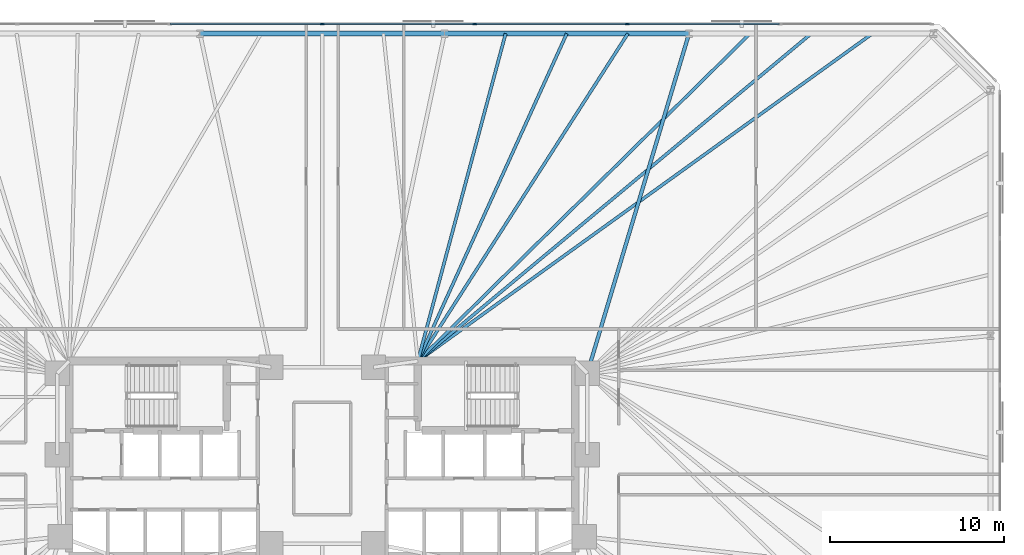
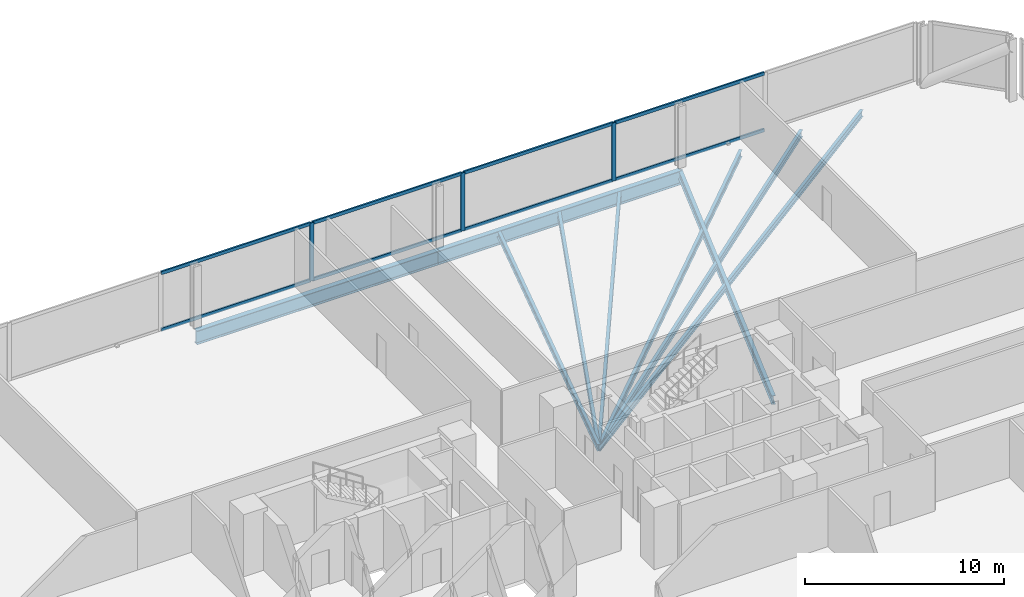
# One storey, part 9 of 17: 11 members, 9 beams, 1 element without a shape of its own.
"""IFC4 building model written with IfcOpenShell, lengths in metres."""

from ifc_helpers import new_model, si_unit, direction, frame, origin, origin_2d, place, context, subcontext, project, spatial, rectangle, i_section, extrude, material, material_profile, profile_set, type_object, element, aggregate, save


model = new_model("IFC4")

# Units and contexts
model_context = context("Model", 3, precision=1e-05, world=origin(), true_north=direction((0.0, 1.0)))
body_context = subcontext(model_context, "Body", "Model", "MODEL_VIEW")
ifc_project = project(units=[si_unit("LENGTHUNIT", "METRE"), si_unit("AREAUNIT", "SQUARE_METRE"), si_unit("VOLUMEUNIT", "CUBIC_METRE"), si_unit("PLANEANGLEUNIT", "RADIAN"), si_unit("MASSUNIT", "GRAM", prefix="KILO")], contexts=[model_context])

# Site, building, storey
site_placement = place(None, origin())
site = spatial("IfcSite", under=ifc_project, at=site_placement, CompositionType="ELEMENT")
building_placement = place(site_placement, origin())
building = spatial("IfcBuilding", under=site, at=building_placement, Name="Menara Jurai Vektor", CompositionType="ELEMENT")
storey_placement = place(building_placement, frame((0.0, 0.0, 56.0)))
storey = spatial("IfcBuildingStorey", under=building, at=storey_placement, Name="L13", CompositionType="ELEMENT", Elevation=56.0)

# Curtain wall, members
ifc_material_1 = material(Name="Anodised Pale Aluminium & Low-E Double Glazing", Category="aluminium")
curtain_wall_type = type_object("IfcCurtainWallType", Name="CW-BLK1", PredefinedType="NOTDEFINED", material=ifc_material_1)
curtain_wall_placement = place(storey_placement, origin())
curtain_wall = element("IfcCurtainWall", 1, at=curtain_wall_placement, inside=storey, type_object=curtain_wall_type, Name="Unitised Curtain Wall L13 F05", PredefinedType="NOTDEFINED")
ifc_material_2 = material(Name="Anodised Pale Aluminium Mullion", Category="aluminium")
ifc_material_profile_1 = material_profile(ifc_material_2, rectangle(XDim=0.094970703125, YDim=0.239990234375, at=origin_2d()), Name="ALU MUL 95x240")
ifc_profile_set_1 = profile_set([ifc_material_profile_1], Name="Anodised Pale Aluminium Mullion")
member_type_1 = type_object("IfcMemberType", Name="CW-BLK1-MUL", PredefinedType="MULLION", material=ifc_profile_set_1)
member_1_placement = place(storey_placement, frame((17.56005859375, 25.0, 0.0), z_axis=(0.0, 0.0, 1.0), x_axis=(0.0, -1.0, 0.0)))
member_1 = element("IfcMember", 2, at=member_1_placement, type_object=member_type_1, Name="CW-01 mullion 3", PredefinedType="MULLION", context=body_context, shape_type="SweptSolid", body=[
    extrude(rectangle(XDim=0.094970703125, YDim=0.239990234375, at=origin_2d()), origin(), (0.0, 0.0, 1.0), 3.574951171875),
])
member_2_placement = place(storey_placement, frame((8.780029296875, 25.0, 0.0), z_axis=(0.0, 0.0, 1.0), x_axis=(0.0, -1.0, 0.0)))
member_2 = element("IfcMember", 3, at=member_2_placement, type_object=member_type_1, Name="CW-01 mullion 4", PredefinedType="MULLION", context=body_context, shape_type="SweptSolid", body=[
    extrude(rectangle(XDim=0.094970703125, YDim=0.239990234375, at=origin_2d()), origin(), (0.0, 0.0, 1.0), 3.574951171875),
])
member_3_placement = place(storey_placement, frame((0.0, 25.0, 0.0), z_axis=(0.0, 0.0, 1.0), x_axis=(0.0, -1.0, 0.0)))
member_3 = element("IfcMember", 4, at=member_3_placement, type_object=member_type_1, Name="CW-01 mullion 5", PredefinedType="MULLION", context=body_context, shape_type="SweptSolid", body=[
    extrude(rectangle(XDim=0.094970703125, YDim=0.239990234375, at=origin_2d()), origin(), (0.0, 0.0, 1.0), 3.574951171875),
])
ifc_material_3 = material(Name="Anodised Pale Aluminium Transom", Category="aluminium")
ifc_material_profile_2 = material_profile(ifc_material_3, rectangle(XDim=0.094970703125, YDim=0.199951171875, at=origin_2d()), Name="ALU TRN 95x200")
ifc_profile_set_2 = profile_set([ifc_material_profile_2], Name="Anodised Pale Aluminium Transom")
member_type_2 = type_object("IfcMemberType", Name="CW-BLK1-TRN", PredefinedType="USERDEFINED", material=ifc_profile_set_2)
member_4_placement = place(storey_placement, frame((26.29248046875, 25.0, 0.047607421875), z_axis=(-1.0, 0.0, 0.0), x_axis=(0.0, -1.0, 0.0)))
member_4 = element("IfcMember", 5, at=member_4_placement, type_object=member_type_2, Name="CW-01 transom 2.1", ObjectType="TRANSOM", PredefinedType="USERDEFINED", context=body_context, shape_type="SweptSolid", body=[
    extrude(rectangle(XDim=0.094970703125, YDim=0.199951171875, at=origin_2d()), origin(), (0.0, 0.0, 1.0), 8.68505859375),
])
member_5_placement = place(storey_placement, frame((26.29248046875, 25.0, 3.527587890625), z_axis=(-1.0, 0.0, 0.0), x_axis=(0.0, -1.0, 0.0)))
member_5 = element("IfcMember", 6, at=member_5_placement, type_object=member_type_2, Name="CW-01 transom 2.2", ObjectType="TRANSOM", PredefinedType="USERDEFINED", context=body_context, shape_type="SweptSolid", body=[
    extrude(rectangle(XDim=0.094970703125, YDim=0.199951171875, at=origin_2d()), origin(), (0.0, 0.0, 1.0), 8.68505859375),
])
member_6_placement = place(storey_placement, frame((17.512451171875, 25.0, 0.047607421875), z_axis=(-1.0, 0.0, 0.0), x_axis=(0.0, -1.0, 0.0)))
member_6 = element("IfcMember", 7, at=member_6_placement, type_object=member_type_2, Name="CW-01 transom 3.1", ObjectType="TRANSOM", PredefinedType="USERDEFINED", context=body_context, shape_type="SweptSolid", body=[
    extrude(rectangle(XDim=0.094970703125, YDim=0.199951171875, at=origin_2d()), origin(), (0.0, 0.0, 1.0), 8.68505859375),
])
member_7_placement = place(storey_placement, frame((17.512451171875, 25.0, 3.527587890625), z_axis=(-1.0, 0.0, 0.0), x_axis=(0.0, -1.0, 0.0)))
member_7 = element("IfcMember", 8, at=member_7_placement, type_object=member_type_2, Name="CW-01 transom 3.2", ObjectType="TRANSOM", PredefinedType="USERDEFINED", context=body_context, shape_type="SweptSolid", body=[
    extrude(rectangle(XDim=0.094970703125, YDim=0.199951171875, at=origin_2d()), origin(), (0.0, 0.0, 1.0), 8.68505859375),
])
member_8_placement = place(storey_placement, frame((8.732421875, 25.0, 0.047607421875), z_axis=(-1.0, 0.0, 0.0), x_axis=(0.0, -1.0, 0.0)))
member_8 = element("IfcMember", 9, at=member_8_placement, type_object=member_type_2, Name="CW-01 transom 4.1", ObjectType="TRANSOM", PredefinedType="USERDEFINED", context=body_context, shape_type="SweptSolid", body=[
    extrude(rectangle(XDim=0.094970703125, YDim=0.199951171875, at=origin_2d()), origin(), (0.0, 0.0, 1.0), 8.684814453125),
])
member_9_placement = place(storey_placement, frame((8.732421875, 25.0, 3.527587890625), z_axis=(-1.0, 0.0, 0.0), x_axis=(0.0, -1.0, 0.0)))
member_9 = element("IfcMember", 10, at=member_9_placement, type_object=member_type_2, Name="CW-01 transom 4.2", ObjectType="TRANSOM", PredefinedType="USERDEFINED", context=body_context, shape_type="SweptSolid", body=[
    extrude(rectangle(XDim=0.094970703125, YDim=0.199951171875, at=origin_2d()), origin(), (0.0, 0.0, 1.0), 8.684814453125),
])
member_10_placement = place(storey_placement, frame((-0.047607421875, 25.0, 0.047607421875), z_axis=(-1.0, 0.0, 0.0), x_axis=(0.0, -1.0, 0.0)))
member_10 = element("IfcMember", 11, at=member_10_placement, type_object=member_type_2, Name="CW-01 transom 5.1", ObjectType="TRANSOM", PredefinedType="USERDEFINED", context=body_context, shape_type="SweptSolid", body=[
    extrude(rectangle(XDim=0.094970703125, YDim=0.199951171875, at=origin_2d()), origin(), (0.0, 0.0, 1.0), 8.684814453125),
])
member_11_placement = place(storey_placement, frame((-0.047607421875, 25.0, 3.527587890625), z_axis=(-1.0, 0.0, 0.0), x_axis=(0.0, -1.0, 0.0)))
member_11 = element("IfcMember", 12, at=member_11_placement, type_object=member_type_2, Name="CW-01 transom 5.2", ObjectType="TRANSOM", PredefinedType="USERDEFINED", context=body_context, shape_type="SweptSolid", body=[
    extrude(rectangle(XDim=0.094970703125, YDim=0.199951171875, at=origin_2d()), origin(), (0.0, 0.0, 1.0), 8.684814453125),
])
aggregate(curtain_wall, [member_1, member_2, member_3, member_4, member_5, member_6, member_7, member_8, member_9, member_10, member_11])

# Beams
ifc_material_4 = material(Name="Steel S355", Category="steel")
ifc_material_profile_3 = material_profile(ifc_material_4, i_section(OverallWidth=0.2109375, OverallDepth=0.5390625, WebThickness=0.011962890625, FlangeThickness=0.01904296875, FilletRadius=0.012939453125, at=origin_2d()), Name="UKB 533x210x109")
ifc_profile_set_3 = profile_set([ifc_material_profile_3], Name="Steel S355")
beam_type_1 = type_object("IfcBeamType", Name="STR-BM-533", PredefinedType="BEAM", material=ifc_profile_set_3)
beam_1_placement = place(storey_placement, frame((21.106689453125, 24.449951171875, -0.494384765625), z_axis=(-0.286973617166, -0.957938486047, 0.0), x_axis=(0.957938486047, -0.286973617166, 0.0)))
element("IfcBeam", 13, at=beam_1_placement, inside=storey, type_object=beam_type_1, Name="Radial Floor Girder L13-N2", PredefinedType="BEAM", context=body_context, shape_type="SweptSolid", body=[
    extrude(i_section(OverallWidth=0.2109375, OverallDepth=0.5390625, WebThickness=0.011962890625, FlangeThickness=0.01904296875, FilletRadius=0.012939453125, at=origin_2d()), origin(), (0.0, 0.0, 1.0), 20.408447265625),
])
ifc_material_profile_4 = material_profile(ifc_material_4, i_section(OverallWidth=0.178955078125, OverallDepth=0.408935546875, WebThickness=0.009033203125, FlangeThickness=0.013916015625, FilletRadius=0.010009765625, at=origin_2d()), Name="UKB 406x178x67")
ifc_profile_set_4 = profile_set([ifc_material_profile_4], Name="Steel S355")
beam_type_2 = type_object("IfcBeamType", Name="STR-JS-406", PredefinedType="JOIST", material=ifc_profile_set_4)
beam_2_placement = place(storey_placement, frame((31.659912109375, 24.449951171875, -0.429443359375), z_axis=(-0.81131785733, -0.584605280833, 0.0), x_axis=(0.584605280833, -0.81131785733, 0.0)))
element("IfcBeam", 14, at=beam_2_placement, inside=storey, type_object=beam_type_2, Name="Radial Secondary Floor Joist L13-JS16", PredefinedType="JOIST", context=body_context, shape_type="SweptSolid", body=[
    extrude(i_section(OverallWidth=0.178955078125, OverallDepth=0.408935546875, WebThickness=0.009033203125, FlangeThickness=0.013916015625, FilletRadius=0.010009765625, at=origin_2d()), origin(), (0.0, 0.0, 1.0), 32.24365234375),
])
beam_3_placement = place(storey_placement, frame((28.142333984375, 24.449951171875, -0.429443359375), z_axis=(-0.76853431665, -0.639808568347, 0.0), x_axis=(0.639808568347, -0.76853431665, 0.0)))
element("IfcBeam", 15, at=beam_3_placement, inside=storey, type_object=beam_type_2, Name="Radial Secondary Floor Joist L13-JS17", PredefinedType="JOIST", context=body_context, shape_type="SweptSolid", body=[
    extrude(i_section(OverallWidth=0.178955078125, OverallDepth=0.408935546875, WebThickness=0.009033203125, FlangeThickness=0.013916015625, FilletRadius=0.010009765625, at=origin_2d()), origin(), (0.0, 0.0, 1.0), 29.461669921875),
])
beam_4_placement = place(storey_placement, frame((24.62451171875, 24.449951171875, -0.429443359375), z_axis=(-0.712202462998, -0.70197411042, 0.0), x_axis=(0.70197411042, -0.712202462998, 0.0)))
element("IfcBeam", 16, at=beam_4_placement, inside=storey, type_object=beam_type_2, Name="Radial Secondary Floor Joist L13-JS18", PredefinedType="JOIST", context=body_context, shape_type="SweptSolid", body=[
    extrude(i_section(OverallWidth=0.178955078125, OverallDepth=0.408935546875, WebThickness=0.009033203125, FlangeThickness=0.013916015625, FilletRadius=0.010009765625, at=origin_2d()), origin(), (0.0, 0.0, 1.0), 26.8525390625),
])
beam_5_placement = place(storey_placement, frame((17.5888671875, 24.449951171875, -0.429443359375), z_axis=(-0.53984422461, -0.841764939372, 0.0), x_axis=(0.841764939372, -0.53984422461, 0.0)))
element("IfcBeam", 17, at=beam_5_placement, inside=storey, type_object=beam_type_2, Name="Radial Secondary Floor Joist L13-JS19", PredefinedType="JOIST", context=body_context, shape_type="SweptSolid", body=[
    extrude(i_section(OverallWidth=0.178955078125, OverallDepth=0.408935546875, WebThickness=0.009033203125, FlangeThickness=0.013916015625, FilletRadius=0.010009765625, at=origin_2d()), origin(), (0.0, 0.0, 1.0), 22.393310546875),
])
beam_6_placement = place(storey_placement, frame((14.071044921875, 24.449951171875, -0.429443359375), z_axis=(-0.413920197297, -0.910313171535, 0.0), x_axis=(0.910313171535, -0.413920197297, 0.0)))
element("IfcBeam", 18, at=beam_6_placement, inside=storey, type_object=beam_type_2, Name="Radial Secondary Floor Joist L13-JS20", PredefinedType="JOIST", context=body_context, shape_type="SweptSolid", body=[
    extrude(i_section(OverallWidth=0.178955078125, OverallDepth=0.408935546875, WebThickness=0.009033203125, FlangeThickness=0.013916015625, FilletRadius=0.010009765625, at=origin_2d()), origin(), (0.0, 0.0, 1.0), 20.70703125),
])
beam_7_placement = place(storey_placement, frame((10.55322265625, 24.449951171875, -0.429443359375), z_axis=(-0.258934723238, -0.965894823002, 0.0), x_axis=(0.965894823002, -0.258934723238, 0.0)))
element("IfcBeam", 19, at=beam_7_placement, inside=storey, type_object=beam_type_2, Name="Radial Secondary Floor Joist L13-JS21", PredefinedType="JOIST", context=body_context, shape_type="SweptSolid", body=[
    extrude(i_section(OverallWidth=0.178955078125, OverallDepth=0.408935546875, WebThickness=0.009033203125, FlangeThickness=0.013916015625, FilletRadius=0.010009765625, at=origin_2d()), origin(), (0.0, 0.0, 1.0), 19.515380859375),
])
ifc_material_5 = material(Name="Steel S460", Category="steel")
ifc_material_profile_5 = material_profile(ifc_material_5, i_section(OverallWidth=0.2939453125, OverallDepth=0.85107421875, WebThickness=0.01611328125, FlangeThickness=0.027099609375, FilletRadius=0.01806640625, at=origin_2d()), Name="UKB 838x292x226")
ifc_profile_set_5 = profile_set([ifc_material_profile_5], Name="Steel S460")
beam_type_3 = type_object("IfcBeamType", Name="STR-SP-838", PredefinedType="SPANDREL", material=ifc_profile_set_5)
beam_8_placement = place(storey_placement, frame((21.106689453125, 24.449951171875, -0.650390625), z_axis=(-1.0, 0.0, 0.0), x_axis=(0.0, -1.0, 0.0)))
element("IfcBeam", 20, at=beam_8_placement, inside=storey, type_object=beam_type_3, Name="Exoskeleton Spandrel Beam L13-12", PredefinedType="SPANDREL", context=body_context, shape_type="SweptSolid", body=[
    extrude(i_section(OverallWidth=0.2939453125, OverallDepth=0.85107421875, WebThickness=0.01611328125, FlangeThickness=0.027099609375, FilletRadius=0.01806640625, at=origin_2d()), origin(), (0.0, 0.0, 1.0), 14.071044921875),
])
beam_9_placement = place(storey_placement, frame((7.03564453125, 24.449951171875, -0.650390625), z_axis=(-1.0, 0.0, 0.0), x_axis=(0.0, -1.0, 0.0)))
element("IfcBeam", 21, at=beam_9_placement, inside=storey, type_object=beam_type_3, Name="Exoskeleton Spandrel Beam L13-13", PredefinedType="SPANDREL", context=body_context, shape_type="SweptSolid", body=[
    extrude(i_section(OverallWidth=0.2939453125, OverallDepth=0.85107421875, WebThickness=0.01611328125, FlangeThickness=0.027099609375, FilletRadius=0.01806640625, at=origin_2d()), origin(), (0.0, 0.0, 1.0), 14.0712890625),
])

save(model, "model.ifc")
